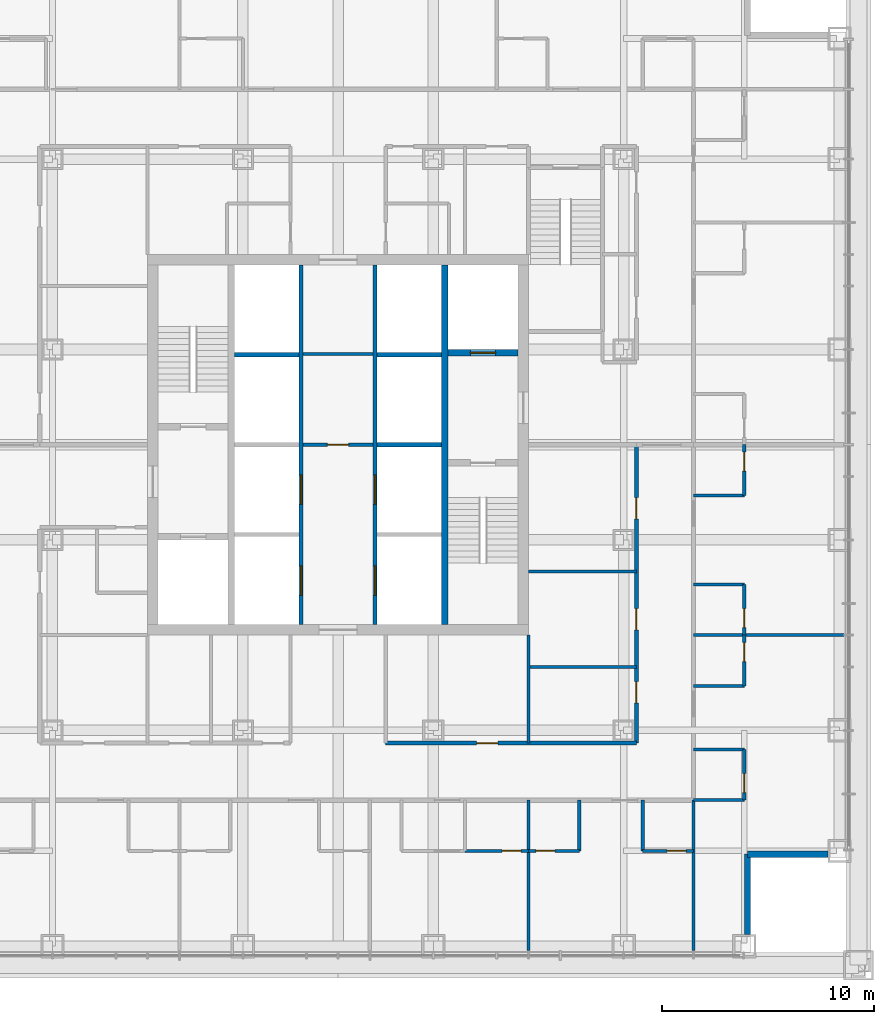
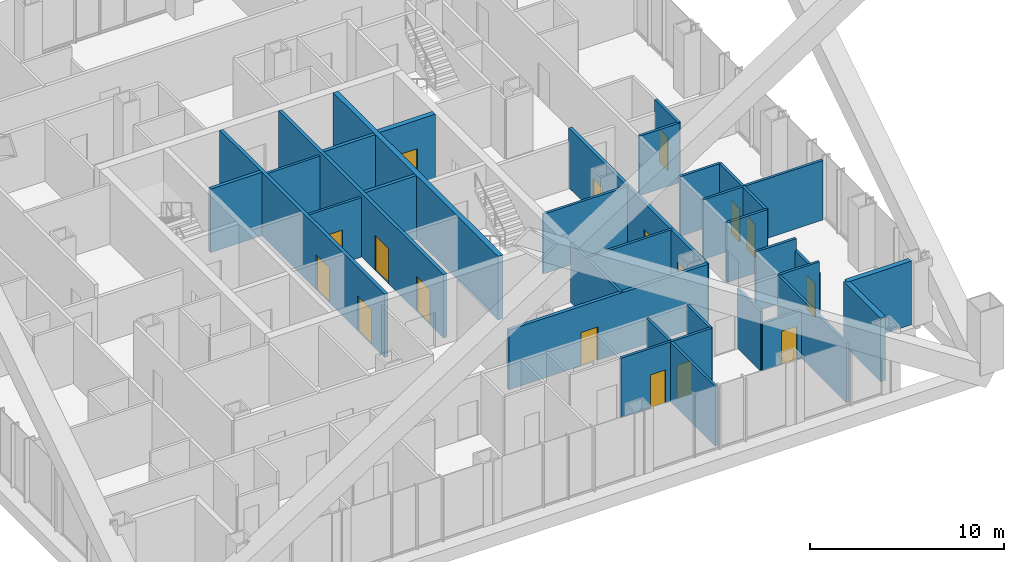
# One storey, part 13 of 21: 33 walls, 17 doors, 17 openings.
"""IFC4 building model written with IfcOpenShell, lengths in metres."""

from ifc_helpers import new_model, si_unit, direction, frame, frame_2d, origin, place, context, subcontext, project, spatial, rectangle, extrude, material, layer, layer_set, type_object, element, fill, save


model = new_model("IFC4")

# Units and contexts
model_context = context("Model", 3, precision=1e-05, world=origin(), true_north=direction((0.0, 1.0)))
body_context = subcontext(model_context, "Body", "Model", "MODEL_VIEW")
ifc_project = project(units=[si_unit("LENGTHUNIT", "METRE"), si_unit("AREAUNIT", "SQUARE_METRE"), si_unit("VOLUMEUNIT", "CUBIC_METRE"), si_unit("PLANEANGLEUNIT", "RADIAN"), si_unit("MASSUNIT", "GRAM", prefix="KILO")], contexts=[model_context])

# Site, building, storey
site_placement = place(None, origin())
site = spatial("IfcSite", under=ifc_project, at=site_placement, CompositionType="ELEMENT")
building_placement = place(site_placement, origin())
building = spatial("IfcBuilding", under=site, at=building_placement, Name="Malebo Sky Hospital", CompositionType="ELEMENT")
storey_placement = place(building_placement, frame((0.0, 0.0, 140.0)))
storey = spatial("IfcBuildingStorey", under=building, at=storey_placement, Name="L33", CompositionType="ELEMENT", Elevation=140.0)

# Wall, openings, doors
ifc_material_1 = material(Name="Concrete C80/95", Category="concrete")
ifc_layer_1 = layer(ifc_material_1, 0.199951171875)
ifc_layer_set_1 = layer_set([ifc_layer_1], Name="CORE INNER WALL 200")
wall_type_1 = type_object("IfcWallType", Name="CORE INNER WALL 200", PredefinedType="SHEAR", material=ifc_layer_set_1)
wall_1_placement = place(storey_placement, frame((58.25, 53.5, 0.0), z_axis=(0.0, 0.0, 1.0), x_axis=(0.0, 1.0, 0.0)))
wall_1 = element("IfcWall", 1, at=wall_1_placement, inside=storey, type_object=wall_type_1, Name="Core wall LW L33", PredefinedType="SHEAR", context=body_context, shape_type="SweptSolid", body=[
    extrude(rectangle(XDim=17.0, YDim=0.199951171875, at=frame_2d((8.5, 0.0))), origin(), (0.0, 0.0, 1.0), 4.0),
])
opening_1_placement = place(wall_1_placement, frame((1.375, 0.0, 0.0)))
opening_1 = element("IfcOpeningElement", 2, at=opening_1_placement, cuts=wall_1, Name="Opening LD1", PredefinedType="OPENING", context=body_context, shape_type="SweptSolid", body=[
    extrude(rectangle(XDim=1.39990234375, YDim=2.199951171875, at=frame_2d((0.699951171875, 1.10009765625))), frame((0.0, 0.10986328125, 0.0), z_axis=(0.0, -1.0, 0.0), x_axis=(1.0, 0.0, 0.0)), (0.0, 0.0, 1.0), 0.219970703125),
])
opening_2_placement = place(wall_1_placement, frame((5.675048828125, 0.0, 0.0)))
opening_2 = element("IfcOpeningElement", 3, at=opening_2_placement, cuts=wall_1, Name="Opening LD1", PredefinedType="OPENING", context=body_context, shape_type="SweptSolid", body=[
    extrude(rectangle(XDim=1.39990234375, YDim=2.199951171875, at=frame_2d((0.699951171875, 1.10009765625))), frame((0.0, 0.10986328125, 0.0), z_axis=(0.0, -1.0, 0.0), x_axis=(1.0, 0.0, 0.0)), (0.0, 0.0, 1.0), 0.219970703125),
])
ifc_material_2 = material(Name="Stainless steel sliding landing door", Category="steel")
door_type_1 = type_object("IfcDoorType", Name="LIFT LANDING DOOR 1400", OperationType="SLIDING_TO_LEFT", PredefinedType="DOOR", material=ifc_material_2)
door_1_placement = place(opening_1_placement, origin())
door_1 = element("IfcDoor", 4, at=door_1_placement, inside=storey, type_object=door_type_1, Name="Lift W1 landing door", OperationType="SLIDING_TO_LEFT", OverallHeight=2.199951171875, OverallWidth=1.39990234375, PredefinedType="DOOR", context=body_context, shape_type="SweptSolid", body=[
    extrude(rectangle(XDim=1.39990234375, YDim=2.199951171875, at=frame_2d((0.699951171875, 1.10009765625))), frame((0.0, 0.02490234375, 0.0), z_axis=(0.0, -1.0, 0.0), x_axis=(1.0, 0.0, 0.0)), (0.0, 0.0, 1.0), 0.050048828125),
])
fill(opening_1, door_1)
door_2_placement = place(opening_2_placement, origin())
door_2 = element("IfcDoor", 5, at=door_2_placement, inside=storey, type_object=door_type_1, Name="Lift W2 landing door", OperationType="SLIDING_TO_LEFT", OverallHeight=2.199951171875, OverallWidth=1.39990234375, PredefinedType="DOOR", context=body_context, shape_type="SweptSolid", body=[
    extrude(rectangle(XDim=1.39990234375, YDim=2.199951171875, at=frame_2d((0.699951171875, 1.10009765625))), frame((0.0, 0.02490234375, 0.0), z_axis=(0.0, -1.0, 0.0), x_axis=(1.0, 0.0, 0.0)), (0.0, 0.0, 1.0), 0.050048828125),
])
fill(opening_2, door_2)

wall_2_placement = place(storey_placement, frame((61.75, 53.5, 0.0), z_axis=(0.0, 0.0, 1.0), x_axis=(0.0, 1.0, 0.0)))
wall_2 = element("IfcWall", 6, at=wall_2_placement, inside=storey, type_object=wall_type_1, Name="Core wall LE L33", PredefinedType="SHEAR", context=body_context, shape_type="SweptSolid", body=[
    extrude(rectangle(XDim=17.0, YDim=0.199951171875, at=frame_2d((8.5, 0.0))), origin(), (0.0, 0.0, 1.0), 4.0),
])
opening_3_placement = place(wall_2_placement, frame((1.375, 0.0, 0.0)))
opening_3 = element("IfcOpeningElement", 7, at=opening_3_placement, cuts=wall_2, Name="Opening LD1", PredefinedType="OPENING", context=body_context, shape_type="SweptSolid", body=[
    extrude(rectangle(XDim=1.39990234375, YDim=2.199951171875, at=frame_2d((0.699951171875, 1.10009765625))), frame((0.0, 0.10986328125, 0.0), z_axis=(0.0, -1.0, 0.0), x_axis=(1.0, 0.0, 0.0)), (0.0, 0.0, 1.0), 0.219970703125),
])
opening_4_placement = place(wall_2_placement, frame((5.675048828125, 0.0, 0.0)))
opening_4 = element("IfcOpeningElement", 8, at=opening_4_placement, cuts=wall_2, Name="Opening LD1", PredefinedType="OPENING", context=body_context, shape_type="SweptSolid", body=[
    extrude(rectangle(XDim=1.39990234375, YDim=2.199951171875, at=frame_2d((0.699951171875, 1.10009765625))), frame((0.0, 0.10986328125, 0.0), z_axis=(0.0, -1.0, 0.0), x_axis=(1.0, 0.0, 0.0)), (0.0, 0.0, 1.0), 0.219970703125),
])
door_3_placement = place(opening_3_placement, origin())
door_3 = element("IfcDoor", 9, at=door_3_placement, inside=storey, type_object=door_type_1, Name="Lift E1 landing door", OperationType="SLIDING_TO_LEFT", OverallHeight=2.199951171875, OverallWidth=1.39990234375, PredefinedType="DOOR", context=body_context, shape_type="SweptSolid", body=[
    extrude(rectangle(XDim=1.39990234375, YDim=2.199951171875, at=frame_2d((0.699951171875, 1.10009765625))), frame((0.0, 0.02490234375, 0.0), z_axis=(0.0, -1.0, 0.0), x_axis=(1.0, 0.0, 0.0)), (0.0, 0.0, 1.0), 0.050048828125),
])
fill(opening_3, door_3)
door_4_placement = place(opening_4_placement, origin())
door_4 = element("IfcDoor", 10, at=door_4_placement, inside=storey, type_object=door_type_1, Name="Lift E2 landing door", OperationType="SLIDING_TO_LEFT", OverallHeight=2.199951171875, OverallWidth=1.39990234375, PredefinedType="DOOR", context=body_context, shape_type="SweptSolid", body=[
    extrude(rectangle(XDim=1.39990234375, YDim=2.199951171875, at=frame_2d((0.699951171875, 1.10009765625))), frame((0.0, 0.02490234375, 0.0), z_axis=(0.0, -1.0, 0.0), x_axis=(1.0, 0.0, 0.0)), (0.0, 0.0, 1.0), 0.050048828125),
])
fill(opening_4, door_4)

# Walls
for number, where, z_axis, x_axis, name in (
    (11, (61.85009765625, 62.0, 0.0), (0.0, 0.0, 1.0), (1.0, 0.0, 0.0), "Core wall SE1 L33"),
    (12, (55.10009765625, 66.25, 0.0), (0.0, 0.0, 1.0), (1.0, 0.0, 0.0), "Core wall SW2 L33"),
    (13, (61.85009765625, 66.25, 0.0), (0.0, 0.0, 1.0), (1.0, 0.0, 0.0), "Core wall SE2 L33"),
):
    element("IfcWall", number, at=place(storey_placement, frame(where, z_axis=z_axis, x_axis=x_axis)), inside=storey, type_object=wall_type_1, Name=name, PredefinedType="SHEAR", context=body_context, shape_type="SweptSolid", body=[
        extrude(rectangle(XDim=3.0498046875, YDim=0.199951171875, at=frame_2d((1.52490234375, 0.0))), origin(), (0.0, 0.0, 1.0), 4.0),
    ])
ifc_layer_2 = layer(ifc_material_1, 0.300048828125)
ifc_layer_set_2 = layer_set([ifc_layer_2], Name="CORE INNER WALL 300")
wall_type_2 = type_object("IfcWallType", Name="CORE INNER WALL 300", PredefinedType="SHEAR", material=ifc_layer_set_2)
wall_3_placement = place(storey_placement, frame((65.050048828125, 53.5, 0.0), z_axis=(0.0, 0.0, 1.0), x_axis=(0.0, 1.0, 0.0)))
element("IfcWall", 14, at=wall_3_placement, inside=storey, type_object=wall_type_2, Name="Core wall XE L33", PredefinedType="SHEAR", context=body_context, shape_type="SweptSolid", body=[
    extrude(rectangle(XDim=17.0, YDim=0.300048828125, at=frame_2d((8.5, 0.0))), origin(), (0.0, 0.0, 1.0), 4.0),
])

# Wall, opening, door
wall_4_placement = place(storey_placement, frame((65.199951171875, 66.35009765625, 0.0), z_axis=(0.0, 0.0, 1.0), x_axis=(1.0, 0.0, 0.0)))
wall_4 = element("IfcWall", 15, at=wall_4_placement, inside=storey, type_object=wall_type_2, Name="Core wall E2 L33", PredefinedType="SHEAR", context=body_context, shape_type="SweptSolid", body=[
    extrude(rectangle(XDim=3.300048828125, YDim=0.300048828125, at=frame_2d((1.64990234375, 0.0))), origin(), (0.0, 0.0, 1.0), 4.0),
])
opening_5_placement = place(wall_4_placement, frame((1.050048828125, 0.0, 0.0)))
opening_5 = element("IfcOpeningElement", 16, at=opening_5_placement, cuts=wall_4, Name="Opening LD2", PredefinedType="OPENING", context=body_context, shape_type="SweptSolid", body=[
    extrude(rectangle(XDim=1.199951171875, YDim=2.199951171875, at=frame_2d((0.60009765625, 1.10009765625))), frame((0.0, 0.159912109375, 0.0), z_axis=(0.0, -1.0, 0.0), x_axis=(1.0, 0.0, 0.0)), (0.0, 0.0, 1.0), 0.320068359375),
])
door_type_2 = type_object("IfcDoorType", Name="FIRE-FIGHTING LIFT LANDING DOOR 1200", OperationType="SLIDING_TO_LEFT", PredefinedType="DOOR", material=ifc_material_2)
door_5_placement = place(opening_5_placement, origin())
door_5 = element("IfcDoor", 17, at=door_5_placement, inside=storey, type_object=door_type_2, Name="Lift FL2 landing door", OperationType="SLIDING_TO_LEFT", OverallHeight=2.199951171875, OverallWidth=1.199951171875, PredefinedType="DOOR", context=body_context, shape_type="SweptSolid", body=[
    extrude(rectangle(XDim=1.199951171875, YDim=2.199951171875, at=frame_2d((0.60009765625, 1.10009765625))), frame((0.0, 0.02490234375, 0.0), z_axis=(0.0, -1.0, 0.0), x_axis=(1.0, 0.0, 0.0)), (0.0, 0.0, 1.0), 0.050048828125),
])
fill(opening_5, door_5)

ifc_material_3 = material(Name="Gypsum board on steel studs", Category="steel")
ifc_layer_3 = layer(ifc_material_3, 0.199951171875)
ifc_layer_set_3 = layer_set([ifc_layer_3], Name="CORRIDOR WALL 200")
wall_type_3 = type_object("IfcWallType", Name="CORRIDOR WALL 200", PredefinedType="PARTITIONING", material=ifc_layer_set_3)
wall_5_placement = place(storey_placement, frame((74.10009765625, 47.89990234375, 0.0), z_axis=(0.0, 0.0, 1.0), x_axis=(-1.0, 0.0, 0.0)))
wall_5 = element("IfcWall", 18, at=wall_5_placement, inside=storey, type_object=wall_type_3, Name="Corridor Wall 200 SCI1", PredefinedType="PARTITIONING", context=body_context, shape_type="SweptSolid", body=[
    extrude(rectangle(XDim=11.85009765625, YDim=0.199951171875, at=frame_2d((5.925048828125, 0.0))), origin(), (0.0, 0.0, 1.0), 3.75),
])
opening_6_placement = place(wall_5_placement, frame((6.550048828125, 0.0, 0.0)))
opening_6 = element("IfcOpeningElement", 19, at=opening_6_placement, cuts=wall_5, Name="Opening D03", PredefinedType="OPENING", context=body_context, shape_type="SweptSolid", body=[
    extrude(rectangle(XDim=1.0, YDim=2.10009765625, at=frame_2d((0.5, 1.050048828125))), frame((0.0, 0.10986328125, 0.0), z_axis=(0.0, -1.0, 0.0), x_axis=(1.0, 0.0, 0.0)), (0.0, 0.0, 1.0), 0.219970703125),
])
ifc_material_4 = material(Name="Hardwood-faced door leaf in steel frame", Category="steel")
door_type_3 = type_object("IfcDoorType", Name="ROOM DOOR 1000", OperationType="SINGLE_SWING_LEFT", PredefinedType="DOOR", material=ifc_material_4)
door_6_placement = place(opening_6_placement, origin())
door_6 = element("IfcDoor", 20, at=door_6_placement, inside=storey, type_object=door_type_3, Name="Staff rest room door", OperationType="SINGLE_SWING_LEFT", OverallHeight=2.10009765625, OverallWidth=1.0, PredefinedType="DOOR", context=body_context, shape_type="SweptSolid", body=[
    extrude(rectangle(XDim=1.0, YDim=2.10009765625, at=frame_2d((0.5, 1.050048828125))), frame((0.0, 0.02490234375, 0.0), z_axis=(0.0, -1.0, 0.0), x_axis=(1.0, 0.0, 0.0)), (0.0, 0.0, 1.0), 0.050048828125),
])
fill(opening_6, door_6)

# Wall, openings, doors
wall_6_placement = place(storey_placement, frame((74.10009765625, 62.0, 0.0), z_axis=(0.0, 0.0, 1.0), x_axis=(0.0, -1.0, 0.0)))
wall_6 = element("IfcWall", 21, at=wall_6_placement, inside=storey, type_object=wall_type_3, Name="Corridor Wall 200 ECI2", PredefinedType="PARTITIONING", context=body_context, shape_type="SweptSolid", body=[
    extrude(rectangle(XDim=14.10009765625, YDim=0.199951171875, at=frame_2d((7.050048828125, 0.0))), origin(), (0.0, 0.0, 1.0), 3.75),
])
opening_7_placement = place(wall_6_placement, frame((2.5, 0.0, 0.0)))
opening_7 = element("IfcOpeningElement", 22, at=opening_7_placement, cuts=wall_6, Name="Opening D03", PredefinedType="OPENING", context=body_context, shape_type="SweptSolid", body=[
    extrude(rectangle(XDim=1.0, YDim=2.10009765625, at=frame_2d((0.5, 1.050048828125))), frame((0.0, 0.10986328125, 0.0), z_axis=(0.0, -1.0, 0.0), x_axis=(1.0, 0.0, 0.0)), (0.0, 0.0, 1.0), 0.219970703125),
])
opening_8_placement = place(wall_6_placement, frame((7.75, 0.0, 0.0)))
opening_8 = element("IfcOpeningElement", 23, at=opening_8_placement, cuts=wall_6, Name="Opening D03", PredefinedType="OPENING", context=body_context, shape_type="SweptSolid", body=[
    extrude(rectangle(XDim=1.0, YDim=2.10009765625, at=frame_2d((0.5, 1.050048828125))), frame((0.0, 0.10986328125, 0.0), z_axis=(0.0, -1.0, 0.0), x_axis=(1.0, 0.0, 0.0)), (0.0, 0.0, 1.0), 0.219970703125),
])
opening_9_placement = place(wall_6_placement, frame((11.199951171875, 0.0, 0.0)))
opening_9 = element("IfcOpeningElement", 24, at=opening_9_placement, cuts=wall_6, Name="Opening D03", PredefinedType="OPENING", context=body_context, shape_type="SweptSolid", body=[
    extrude(rectangle(XDim=1.0, YDim=2.10009765625, at=frame_2d((0.5, 1.050048828125))), frame((0.0, 0.10986328125, 0.0), z_axis=(0.0, -1.0, 0.0), x_axis=(1.0, 0.0, 0.0)), (0.0, 0.0, 1.0), 0.219970703125),
])
door_7_placement = place(opening_7_placement, origin())
door_7 = element("IfcDoor", 25, at=door_7_placement, inside=storey, type_object=door_type_3, Name="Water treatment plant room door", OperationType="SINGLE_SWING_LEFT", OverallHeight=2.10009765625, OverallWidth=1.0, PredefinedType="DOOR", context=body_context, shape_type="SweptSolid", body=[
    extrude(rectangle(XDim=1.0, YDim=2.10009765625, at=frame_2d((0.5, 1.050048828125))), frame((0.0, 0.02490234375, 0.0), z_axis=(0.0, -1.0, 0.0), x_axis=(1.0, 0.0, 0.0)), (0.0, 0.0, 1.0), 0.050048828125),
])
fill(opening_7, door_7)
door_8_placement = place(opening_8_placement, origin())
door_8 = element("IfcDoor", 26, at=door_8_placement, inside=storey, type_object=door_type_3, Name="Staff base door", OperationType="SINGLE_SWING_LEFT", OverallHeight=2.10009765625, OverallWidth=1.0, PredefinedType="DOOR", context=body_context, shape_type="SweptSolid", body=[
    extrude(rectangle(XDim=1.0, YDim=2.10009765625, at=frame_2d((0.5, 1.050048828125))), frame((0.0, 0.02490234375, 0.0), z_axis=(0.0, -1.0, 0.0), x_axis=(1.0, 0.0, 0.0)), (0.0, 0.0, 1.0), 0.050048828125),
])
fill(opening_8, door_8)
door_9_placement = place(opening_9_placement, origin())
door_9 = element("IfcDoor", 27, at=door_9_placement, inside=storey, type_object=door_type_3, Name="Dirty utility room door", OperationType="SINGLE_SWING_LEFT", OverallHeight=2.10009765625, OverallWidth=1.0, PredefinedType="DOOR", context=body_context, shape_type="SweptSolid", body=[
    extrude(rectangle(XDim=1.0, YDim=2.10009765625, at=frame_2d((0.5, 1.050048828125))), frame((0.0, 0.02490234375, 0.0), z_axis=(0.0, -1.0, 0.0), x_axis=(1.0, 0.0, 0.0)), (0.0, 0.0, 1.0), 0.050048828125),
])
fill(opening_9, door_9)

# Walls
ifc_material_5 = material(Name="Anodised aluminium rainscreen on steel framing", Category="steel")
ifc_layer_4 = layer(ifc_material_5, 0.300048828125)
ifc_layer_set_4 = layer_set([ifc_layer_4], Name="NOTCH RAINSCREEN WALL 300")
wall_type_4 = type_object("IfcWallType", Name="NOTCH RAINSCREEN WALL 300", PredefinedType="ELEMENTEDWALL", material=ifc_layer_set_4)
for number, where, z_axis, x_axis, name in (
    (28, (83.14990234375, 42.64990234375, 0.0), (0.0, 0.0, 1.0), (-1.0, 0.0, 0.0), "Notch rainscreen wall E1 L33"),
    (29, (79.35009765625, 42.64990234375, 0.0), (0.0, 0.0, 1.0), (0.0, -1.0, 0.0), "Notch rainscreen wall E2 L33"),
):
    element("IfcWall", number, at=place(storey_placement, frame(where, z_axis=z_axis, x_axis=x_axis)), inside=storey, type_object=wall_type_4, Name=name, PredefinedType="ELEMENTEDWALL", context=body_context, shape_type="SweptSolid", body=[
        extrude(rectangle(XDim=3.7998046875, YDim=0.300048828125, at=frame_2d((1.89990234375, 0.0))), origin(), (0.0, 0.0, 1.0), 4.0),
    ])
ifc_layer_5 = layer(ifc_material_3, 0.14990234375)
ifc_layer_set_5 = layer_set([ifc_layer_5], Name="PARTITION 150")
wall_type_5 = type_object("IfcWallType", Name="PARTITION 150", PredefinedType="PARTITIONING", material=ifc_layer_set_5)
for number, where, z_axis, x_axis, name in (
    (30, (69.0, 45.199951171875, 0.0), (0.0, 0.0, 1.0), (0.0, -1.0, 0.0), "Partition 150 SP-9.0"),
    (31, (76.800048828125, 45.199951171875, 0.0), (0.0, 0.0, 1.0), (0.0, -1.0, 0.0), "Partition 150 SP0"),
):
    element("IfcWall", number, at=place(storey_placement, frame(where, z_axis=z_axis, x_axis=x_axis)), inside=storey, type_object=wall_type_5, Name=name, PredefinedType="PARTITIONING", context=body_context, shape_type="SweptSolid", body=[
        extrude(rectangle(XDim=7.10986328125, YDim=0.14990234375, at=frame_2d((3.554931640625, 0.0))), origin(), (0.0, 0.0, 1.0), 3.75),
    ])

# Wall, opening, door
wall_7_placement = place(storey_placement, frame((76.800048828125, 42.800048828125, 0.0), z_axis=(0.0, 0.0, 1.0), x_axis=(-1.0, 0.0, 0.0)))
wall_7 = element("IfcWall", 32, at=wall_7_placement, inside=storey, type_object=wall_type_5, Name="Partition 150 SE0F", PredefinedType="PARTITIONING", context=body_context, shape_type="SweptSolid", body=[
    extrude(rectangle(XDim=2.400146484375, YDim=0.14990234375, at=frame_2d((1.2001953125, 0.0))), origin(), (0.0, 0.0, 1.0), 2.9970703125),
])
opening_10_placement = place(wall_7_placement, frame((0.35009765625, 0.0, 0.0)))
opening_10 = element("IfcOpeningElement", 33, at=opening_10_placement, cuts=wall_7, Name="Opening D02", PredefinedType="OPENING", context=body_context, shape_type="SweptSolid", body=[
    extrude(rectangle(XDim=0.89990234375, YDim=2.10009765625, at=frame_2d((0.449951171875, 1.050048828125))), frame((0.0, 0.0849609375, 0.0), z_axis=(0.0, -1.0, 0.0), x_axis=(1.0, 0.0, 0.0)), (0.0, 0.0, 1.0), 0.169921875),
])
door_type_4 = type_object("IfcDoorType", Name="EN-SUITE DOOR 900", OperationType="SINGLE_SWING_LEFT", PredefinedType="DOOR", material=ifc_material_4)
door_10_placement = place(opening_10_placement, origin())
door_10 = element("IfcDoor", 34, at=door_10_placement, inside=storey, type_object=door_type_4, Name="En-suite door", OperationType="SINGLE_SWING_LEFT", OverallHeight=2.10009765625, OverallWidth=0.89990234375, PredefinedType="DOOR", context=body_context, shape_type="SweptSolid", body=[
    extrude(rectangle(XDim=0.89990234375, YDim=2.10009765625, at=frame_2d((0.449951171875, 1.050048828125))), frame((0.0, 0.02490234375, 0.0), z_axis=(0.0, -1.0, 0.0), x_axis=(1.0, 0.0, 0.0)), (0.0, 0.0, 1.0), 0.050048828125),
])
fill(opening_10, door_10)

# Wall
wall_8_placement = place(storey_placement, frame((74.39990234375, 45.199951171875, 0.0), z_axis=(0.0, 0.0, 1.0), x_axis=(0.0, -1.0, 0.0)))
element("IfcWall", 35, at=wall_8_placement, inside=storey, type_object=wall_type_5, Name="Partition 150 SE0S", PredefinedType="PARTITIONING", context=body_context, shape_type="SweptSolid", body=[
    extrude(rectangle(XDim=2.39990234375, YDim=0.14990234375, at=frame_2d((1.199951171875, 0.0))), origin(), (0.0, 0.0, 1.0), 3.75),
])

# Wall, opening, door
wall_9_placement = place(storey_placement, frame((71.39990234375, 42.800048828125, 0.0), z_axis=(0.0, 0.0, 1.0), x_axis=(-1.0, 0.0, 0.0)))
wall_9 = element("IfcWall", 36, at=wall_9_placement, inside=storey, type_object=wall_type_5, Name="Partition 150 SG0F", PredefinedType="PARTITIONING", context=body_context, shape_type="SweptSolid", body=[
    extrude(rectangle(XDim=2.39990234375, YDim=0.14990234375, at=frame_2d((1.199951171875, 0.0))), origin(), (0.0, 0.0, 1.0), 3.75),
])
opening_11_placement = place(wall_9_placement, frame((1.14990234375, 0.0, 0.0)))
opening_11 = element("IfcOpeningElement", 37, at=opening_11_placement, cuts=wall_9, Name="Opening D02", PredefinedType="OPENING", context=body_context, shape_type="SweptSolid", body=[
    extrude(rectangle(XDim=0.89990234375, YDim=2.10009765625, at=frame_2d((0.449951171875, 1.050048828125))), frame((0.0, 0.0849609375, 0.0), z_axis=(0.0, -1.0, 0.0), x_axis=(1.0, 0.0, 0.0)), (0.0, 0.0, 1.0), 0.169921875),
])
door_11_placement = place(opening_11_placement, origin())
door_11 = element("IfcDoor", 38, at=door_11_placement, inside=storey, type_object=door_type_4, Name="En-suite door", OperationType="SINGLE_SWING_RIGHT", OverallHeight=2.10009765625, OverallWidth=0.89990234375, PredefinedType="DOOR", context=body_context, shape_type="SweptSolid", body=[
    extrude(rectangle(XDim=0.89990234375, YDim=2.10009765625, at=frame_2d((0.449951171875, 1.050048828125))), frame((0.0, 0.02490234375, 0.0), z_axis=(0.0, -1.0, 0.0), x_axis=(1.0, 0.0, 0.0)), (0.0, 0.0, 1.0), 0.050048828125),
])
fill(opening_11, door_11)

# Wall
wall_10_placement = place(storey_placement, frame((71.39990234375, 45.199951171875, 0.0), z_axis=(0.0, 0.0, 1.0), x_axis=(0.0, -1.0, 0.0)))
element("IfcWall", 39, at=wall_10_placement, inside=storey, type_object=wall_type_5, Name="Partition 150 SG0S", PredefinedType="PARTITIONING", context=body_context, shape_type="SweptSolid", body=[
    extrude(rectangle(XDim=2.39990234375, YDim=0.14990234375, at=frame_2d((1.199951171875, 0.0))), origin(), (0.0, 0.0, 1.0), 3.75),
])

# Wall, opening, door
wall_11_placement = place(storey_placement, frame((69.0, 42.800048828125, 0.0), z_axis=(0.0, 0.0, 1.0), x_axis=(-1.0, 0.0, 0.0)))
wall_11 = element("IfcWall", 40, at=wall_11_placement, inside=storey, type_object=wall_type_5, Name="Partition 150 SE1F", PredefinedType="PARTITIONING", context=body_context, shape_type="SweptSolid", body=[
    extrude(rectangle(XDim=3.0, YDim=0.14990234375, at=frame_2d((1.5, 0.0))), origin(), (0.0, 0.0, 1.0), 3.75),
])
opening_12_placement = place(wall_11_placement, frame((0.35009765625, 0.0, 0.0)))
opening_12 = element("IfcOpeningElement", 41, at=opening_12_placement, cuts=wall_11, Name="Opening D02", PredefinedType="OPENING", context=body_context, shape_type="SweptSolid", body=[
    extrude(rectangle(XDim=0.89990234375, YDim=2.10009765625, at=frame_2d((0.449951171875, 1.050048828125))), frame((0.0, 0.0849609375, 0.0), z_axis=(0.0, -1.0, 0.0), x_axis=(1.0, 0.0, 0.0)), (0.0, 0.0, 1.0), 0.169921875),
])
door_12_placement = place(opening_12_placement, origin())
door_12 = element("IfcDoor", 42, at=door_12_placement, inside=storey, type_object=door_type_4, Name="En-suite door", OperationType="SINGLE_SWING_LEFT", OverallHeight=2.10009765625, OverallWidth=0.89990234375, PredefinedType="DOOR", context=body_context, shape_type="SweptSolid", body=[
    extrude(rectangle(XDim=0.89990234375, YDim=2.10009765625, at=frame_2d((0.449951171875, 1.050048828125))), frame((0.0, 0.02490234375, 0.0), z_axis=(0.0, -1.0, 0.0), x_axis=(1.0, 0.0, 0.0)), (0.0, 0.0, 1.0), 0.050048828125),
])
fill(opening_12, door_12)

# Walls
wall_12_placement = place(storey_placement, frame((69.0, 53.0, 0.0), z_axis=(0.0, 0.0, 1.0), x_axis=(0.0, -1.0, 0.0)))
element("IfcWall", 43, at=wall_12_placement, inside=storey, type_object=wall_type_5, Name="Partition 150 SSP0", PredefinedType="PARTITIONING", context=body_context, shape_type="SweptSolid", body=[
    extrude(rectangle(XDim=5.10009765625, YDim=0.14990234375, at=frame_2d((2.550048828125, 0.0))), origin(), (0.0, 0.0, 1.0), 3.75),
])
wall_13_placement = place(storey_placement, frame((76.800048828125, 53.0, 0.0), z_axis=(0.0, 0.0, 1.0), x_axis=(1.0, 0.0, 0.0)))
element("IfcWall", 44, at=wall_13_placement, inside=storey, type_object=wall_type_5, Name="Partition 150 EP+9.0", PredefinedType="PARTITIONING", context=body_context, shape_type="SweptSolid", body=[
    extrude(rectangle(XDim=7.10986328125, YDim=0.14990234375, at=frame_2d((3.554931640625, 0.0))), origin(), (0.0, 0.0, 1.0), 3.75),
])

# Wall, opening, door
wall_14_placement = place(storey_placement, frame((79.199951171875, 62.0, 0.0), z_axis=(0.0, 0.0, 1.0), x_axis=(0.0, -1.0, 0.0)))
wall_14 = element("IfcWall", 45, at=wall_14_placement, inside=storey, type_object=wall_type_5, Name="Partition 150 EE2F", PredefinedType="PARTITIONING", context=body_context, shape_type="SweptSolid", body=[
    extrude(rectangle(XDim=2.39990234375, YDim=0.14990234375, at=frame_2d((1.199951171875, 0.0))), origin(), (0.0, 0.0, 1.0), 3.75),
])
opening_13_placement = place(wall_14_placement, frame((0.35009765625, 0.0, 0.0)))
opening_13 = element("IfcOpeningElement", 46, at=opening_13_placement, cuts=wall_14, Name="Opening D02", PredefinedType="OPENING", context=body_context, shape_type="SweptSolid", body=[
    extrude(rectangle(XDim=0.89990234375, YDim=2.10009765625, at=frame_2d((0.449951171875, 1.050048828125))), frame((0.0, 0.0849609375, 0.0), z_axis=(0.0, -1.0, 0.0), x_axis=(1.0, 0.0, 0.0)), (0.0, 0.0, 1.0), 0.169921875),
])
door_13_placement = place(opening_13_placement, origin())
door_13 = element("IfcDoor", 47, at=door_13_placement, inside=storey, type_object=door_type_4, Name="En-suite door", OperationType="SINGLE_SWING_LEFT", OverallHeight=2.10009765625, OverallWidth=0.89990234375, PredefinedType="DOOR", context=body_context, shape_type="SweptSolid", body=[
    extrude(rectangle(XDim=0.89990234375, YDim=2.10009765625, at=frame_2d((0.449951171875, 1.050048828125))), frame((0.0, 0.02490234375, 0.0), z_axis=(0.0, -1.0, 0.0), x_axis=(1.0, 0.0, 0.0)), (0.0, 0.0, 1.0), 0.050048828125),
])
fill(opening_13, door_13)

# Wall
wall_15_placement = place(storey_placement, frame((76.800048828125, 59.60009765625, 0.0), z_axis=(0.0, 0.0, 1.0), x_axis=(1.0, 0.0, 0.0)))
element("IfcWall", 48, at=wall_15_placement, inside=storey, type_object=wall_type_5, Name="Partition 150 EE2S", PredefinedType="PARTITIONING", context=body_context, shape_type="SweptSolid", body=[
    extrude(rectangle(XDim=2.39990234375, YDim=0.14990234375, at=frame_2d((1.199951171875, 0.0))), origin(), (0.0, 0.0, 1.0), 3.75),
])

# Wall, opening, door
wall_16_placement = place(storey_placement, frame((79.199951171875, 55.39990234375, 0.0), z_axis=(0.0, 0.0, 1.0), x_axis=(0.0, -1.0, 0.0)))
wall_16 = element("IfcWall", 49, at=wall_16_placement, inside=storey, type_object=wall_type_5, Name="Partition 150 EG2F", PredefinedType="PARTITIONING", context=body_context, shape_type="SweptSolid", body=[
    extrude(rectangle(XDim=2.39990234375, YDim=0.14990234375, at=frame_2d((1.199951171875, 0.0))), origin(), (0.0, 0.0, 1.0), 3.75),
])
opening_14_placement = place(wall_16_placement, frame((1.14990234375, 0.0, 0.0)))
opening_14 = element("IfcOpeningElement", 50, at=opening_14_placement, cuts=wall_16, Name="Opening D02", PredefinedType="OPENING", context=body_context, shape_type="SweptSolid", body=[
    extrude(rectangle(XDim=0.89990234375, YDim=2.10009765625, at=frame_2d((0.449951171875, 1.050048828125))), frame((0.0, 0.0849609375, 0.0), z_axis=(0.0, -1.0, 0.0), x_axis=(1.0, 0.0, 0.0)), (0.0, 0.0, 1.0), 0.169921875),
])
door_14_placement = place(opening_14_placement, origin())
door_14 = element("IfcDoor", 51, at=door_14_placement, inside=storey, type_object=door_type_4, Name="En-suite door", OperationType="SINGLE_SWING_RIGHT", OverallHeight=2.10009765625, OverallWidth=0.89990234375, PredefinedType="DOOR", context=body_context, shape_type="SweptSolid", body=[
    extrude(rectangle(XDim=0.89990234375, YDim=2.10009765625, at=frame_2d((0.449951171875, 1.050048828125))), frame((0.0, 0.02490234375, 0.0), z_axis=(0.0, -1.0, 0.0), x_axis=(1.0, 0.0, 0.0)), (0.0, 0.0, 1.0), 0.050048828125),
])
fill(opening_14, door_14)

# Wall
wall_17_placement = place(storey_placement, frame((76.800048828125, 55.39990234375, 0.0), z_axis=(0.0, 0.0, 1.0), x_axis=(1.0, 0.0, 0.0)))
element("IfcWall", 52, at=wall_17_placement, inside=storey, type_object=wall_type_5, Name="Partition 150 EG2S", PredefinedType="PARTITIONING", context=body_context, shape_type="SweptSolid", body=[
    extrude(rectangle(XDim=2.39990234375, YDim=0.14990234375, at=frame_2d((1.199951171875, 0.0))), origin(), (0.0, 0.0, 1.0), 3.75),
])

# Wall, opening, door
wall_18_placement = place(storey_placement, frame((79.199951171875, 53.0, 0.0), z_axis=(0.0, 0.0, 1.0), x_axis=(0.0, -1.0, 0.0)))
wall_18 = element("IfcWall", 53, at=wall_18_placement, inside=storey, type_object=wall_type_5, Name="Partition 150 EE3F", PredefinedType="PARTITIONING", context=body_context, shape_type="SweptSolid", body=[
    extrude(rectangle(XDim=2.39990234375, YDim=0.14990234375, at=frame_2d((1.199951171875, 0.0))), origin(), (0.0, 0.0, 1.0), 3.75),
])
opening_15_placement = place(wall_18_placement, frame((0.35009765625, 0.0, 0.0)))
opening_15 = element("IfcOpeningElement", 54, at=opening_15_placement, cuts=wall_18, Name="Opening D02", PredefinedType="OPENING", context=body_context, shape_type="SweptSolid", body=[
    extrude(rectangle(XDim=0.89990234375, YDim=2.10009765625, at=frame_2d((0.449951171875, 1.050048828125))), frame((0.0, 0.0849609375, 0.0), z_axis=(0.0, -1.0, 0.0), x_axis=(1.0, 0.0, 0.0)), (0.0, 0.0, 1.0), 0.169921875),
])
door_15_placement = place(opening_15_placement, origin())
door_15 = element("IfcDoor", 55, at=door_15_placement, inside=storey, type_object=door_type_4, Name="En-suite door", OperationType="SINGLE_SWING_LEFT", OverallHeight=2.10009765625, OverallWidth=0.89990234375, PredefinedType="DOOR", context=body_context, shape_type="SweptSolid", body=[
    extrude(rectangle(XDim=0.89990234375, YDim=2.10009765625, at=frame_2d((0.449951171875, 1.050048828125))), frame((0.0, 0.02490234375, 0.0), z_axis=(0.0, -1.0, 0.0), x_axis=(1.0, 0.0, 0.0)), (0.0, 0.0, 1.0), 0.050048828125),
])
fill(opening_15, door_15)

# Wall
wall_19_placement = place(storey_placement, frame((76.800048828125, 50.60009765625, 0.0), z_axis=(0.0, 0.0, 1.0), x_axis=(1.0, 0.0, 0.0)))
element("IfcWall", 56, at=wall_19_placement, inside=storey, type_object=wall_type_5, Name="Partition 150 EE3S", PredefinedType="PARTITIONING", context=body_context, shape_type="SweptSolid", body=[
    extrude(rectangle(XDim=2.39990234375, YDim=0.14990234375, at=frame_2d((1.199951171875, 0.0))), origin(), (0.0, 0.0, 1.0), 3.75),
])

# Wall, opening, door
wall_20_placement = place(storey_placement, frame((79.199951171875, 47.60009765625, 0.0), z_axis=(0.0, 0.0, 1.0), x_axis=(0.0, -1.0, 0.0)))
wall_20 = element("IfcWall", 57, at=wall_20_placement, inside=storey, type_object=wall_type_5, Name="Partition 150 EG3F", PredefinedType="PARTITIONING", context=body_context, shape_type="SweptSolid", body=[
    extrude(rectangle(XDim=2.400146484375, YDim=0.14990234375, at=frame_2d((1.2001953125, 0.0))), origin(), (0.0, 0.0, 1.0), 2.9970703125),
])
opening_16_placement = place(wall_20_placement, frame((1.14990234375, 0.0, 0.0)))
opening_16 = element("IfcOpeningElement", 58, at=opening_16_placement, cuts=wall_20, Name="Opening D02", PredefinedType="OPENING", context=body_context, shape_type="SweptSolid", body=[
    extrude(rectangle(XDim=0.89990234375, YDim=2.10009765625, at=frame_2d((0.449951171875, 1.050048828125))), frame((0.0, 0.0849609375, 0.0), z_axis=(0.0, -1.0, 0.0), x_axis=(1.0, 0.0, 0.0)), (0.0, 0.0, 1.0), 0.169921875),
])
door_16_placement = place(opening_16_placement, origin())
door_16 = element("IfcDoor", 59, at=door_16_placement, inside=storey, type_object=door_type_4, Name="En-suite door", OperationType="SINGLE_SWING_RIGHT", OverallHeight=2.10009765625, OverallWidth=0.89990234375, PredefinedType="DOOR", context=body_context, shape_type="SweptSolid", body=[
    extrude(rectangle(XDim=0.89990234375, YDim=2.10009765625, at=frame_2d((0.449951171875, 1.050048828125))), frame((0.0, 0.02490234375, 0.0), z_axis=(0.0, -1.0, 0.0), x_axis=(1.0, 0.0, 0.0)), (0.0, 0.0, 1.0), 0.050048828125),
])
fill(opening_16, door_16)

# Walls
for number, where, z_axis, x_axis, name in (
    (60, (76.800048828125, 47.60009765625, 0.0), (0.0, 0.0, 1.0), (1.0, 0.0, 0.0), "Partition 150 EG3S"),
    (61, (76.800048828125, 45.199951171875, 0.0), (0.0, 0.0, 1.0), (1.0, 0.0, 0.0), "Partition 150 EEZ"),
):
    element("IfcWall", number, at=place(storey_placement, frame(where, z_axis=z_axis, x_axis=x_axis)), inside=storey, type_object=wall_type_5, Name=name, PredefinedType="PARTITIONING", context=body_context, shape_type="SweptSolid", body=[
        extrude(rectangle(XDim=2.39990234375, YDim=0.14990234375, at=frame_2d((1.199951171875, 0.0))), origin(), (0.0, 0.0, 1.0), 3.75),
    ])
for number, where, z_axis, x_axis, name in (
    (62, (69.0, 56.0, 0.0), (0.0, 0.0, 1.0), (1.0, 0.0, 0.0), "Partition 150 ESP+6.0"),
    (63, (69.0, 51.5, 0.0), (0.0, 0.0, 1.0), (1.0, 0.0, 0.0), "Partition 150 ESP+10.5"),
):
    element("IfcWall", number, at=place(storey_placement, frame(where, z_axis=z_axis, x_axis=x_axis)), inside=storey, type_object=wall_type_5, Name=name, PredefinedType="PARTITIONING", context=body_context, shape_type="SweptSolid", body=[
        extrude(rectangle(XDim=5.10009765625, YDim=0.14990234375, at=frame_2d((2.550048828125, 0.0))), origin(), (0.0, 0.0, 1.0), 3.75),
    ])

# Wall, opening, door
wall_21_placement = place(storey_placement, frame((58.35009765625, 62.0, 0.0), z_axis=(0.0, 0.0, 1.0), x_axis=(1.0, 0.0, 0.0)))
wall_21 = element("IfcWall", 64, at=wall_21_placement, inside=storey, type_object=wall_type_5, Name="Partition 150 LBN", PredefinedType="PARTITIONING", context=body_context, shape_type="SweptSolid", body=[
    extrude(rectangle(XDim=3.2998046875, YDim=0.14990234375, at=frame_2d((1.64990234375, 0.0))), origin(), (0.0, 0.0, 1.0), 3.75),
])
opening_17_placement = place(wall_21_placement, frame((1.14990234375, 0.0, 0.0)))
opening_17 = element("IfcOpeningElement", 65, at=opening_17_placement, cuts=wall_21, Name="Opening D03", PredefinedType="OPENING", context=body_context, shape_type="SweptSolid", body=[
    extrude(rectangle(XDim=1.0, YDim=2.10009765625, at=frame_2d((0.5, 1.050048828125))), frame((0.0, 0.0849609375, 0.0), z_axis=(0.0, -1.0, 0.0), x_axis=(1.0, 0.0, 0.0)), (0.0, 0.0, 1.0), 0.169921875),
])
door_17_placement = place(opening_17_placement, origin())
door_17 = element("IfcDoor", 66, at=door_17_placement, inside=storey, type_object=door_type_3, Name="Pantry store door", OperationType="SINGLE_SWING_LEFT", OverallHeight=2.10009765625, OverallWidth=1.0, PredefinedType="DOOR", context=body_context, shape_type="SweptSolid", body=[
    extrude(rectangle(XDim=1.0, YDim=2.10009765625, at=frame_2d((0.5, 1.050048828125))), frame((0.0, 0.02490234375, 0.0), z_axis=(0.0, -1.0, 0.0), x_axis=(1.0, 0.0, 0.0)), (0.0, 0.0, 1.0), 0.050048828125),
])
fill(opening_17, door_17)

# Wall
wall_22_placement = place(storey_placement, frame((58.35009765625, 66.28759765625, 0.0), z_axis=(0.0, 0.0, 1.0), x_axis=(1.0, 0.0, 0.0)))
element("IfcWall", 67, at=wall_22_placement, inside=storey, type_object=wall_type_5, Name="Partition 150 LBN1", PredefinedType="PARTITIONING", context=body_context, shape_type="SweptSolid", body=[
    extrude(rectangle(XDim=3.2998046875, YDim=0.14990234375, at=frame_2d((1.64990234375, 0.0))), origin(), (0.0, 0.0, 1.0), 3.75),
])

save(model, "model.ifc")
